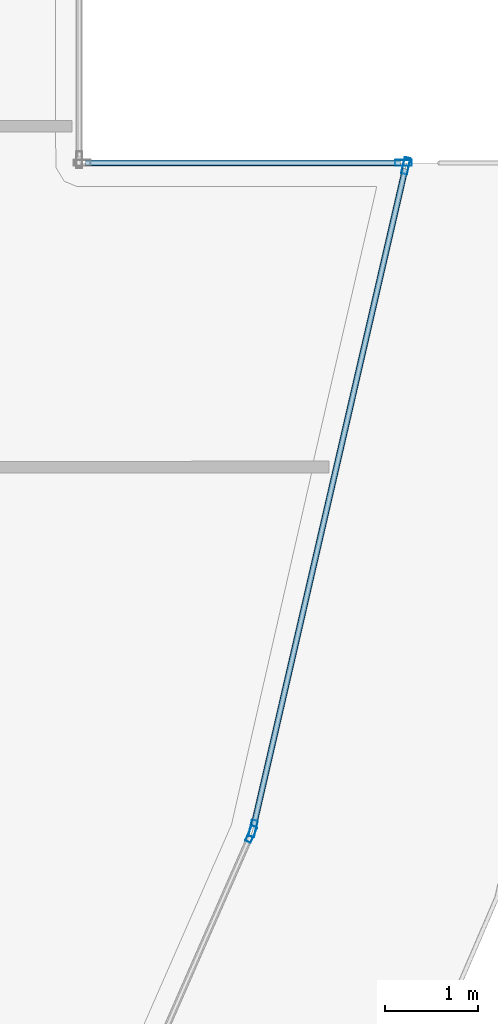
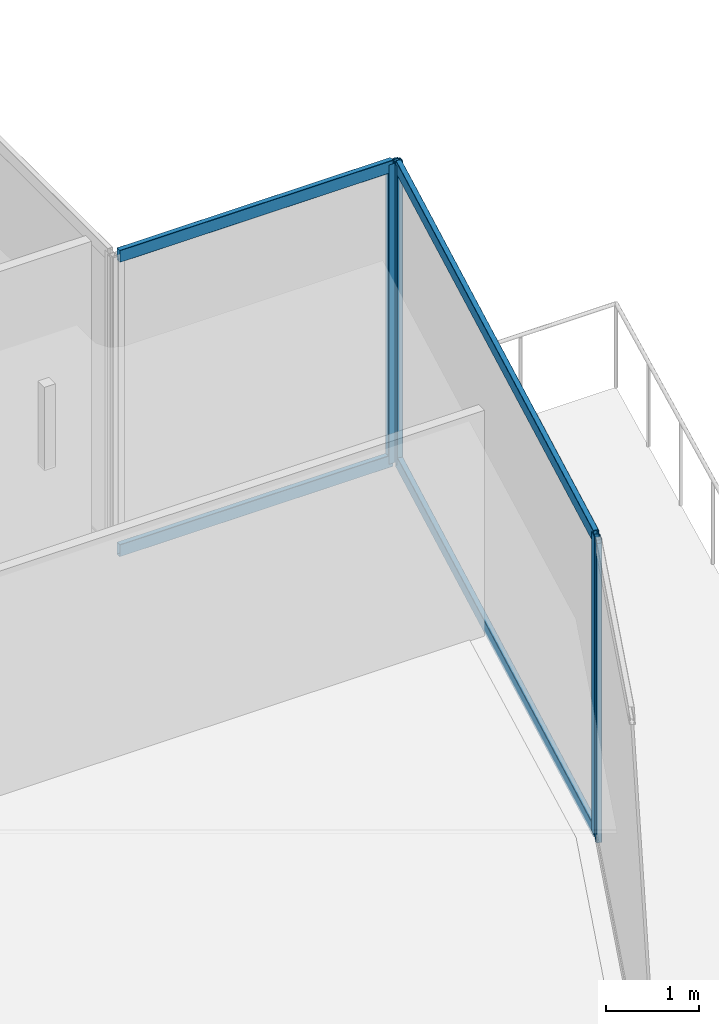
# One storey, part 30 of 52: 8 members, 3 elements without a shape of their own.
"""IFC4 building model written with IfcOpenShell, lengths in metres."""

from ifc_helpers import new_model, si_unit, direction, frame, origin, origin_2d, place, context, subcontext, project, spatial, hollow_rectangle, extrude, material, layer, layer_set, material_profile, profile_set, type_object, element, aggregate, save


model = new_model("IFC4")

# Units and contexts
model_context = context("Model", 3, precision=1e-05, world=origin(), true_north=direction((0.0, 1.0)))
body_context = subcontext(model_context, "Body", "Model", "MODEL_VIEW")
ifc_project = project(units=[si_unit("LENGTHUNIT", "METRE"), si_unit("AREAUNIT", "SQUARE_METRE"), si_unit("VOLUMEUNIT", "CUBIC_METRE"), si_unit("PLANEANGLEUNIT", "RADIAN"), si_unit("MASSUNIT", "GRAM", prefix="KILO")], contexts=[model_context])

# Site, building, storey
site_placement = place(None, origin())
site = spatial("IfcSite", under=ifc_project, at=site_placement, CompositionType="ELEMENT")
building_placement = place(site_placement, origin())
building = spatial("IfcBuilding", under=site, at=building_placement, Name="Qorvath Tower", CompositionType="ELEMENT")
storey_placement = place(building_placement, frame((0.0, 0.0, 61.800048828125)))
storey = spatial("IfcBuildingStorey", under=building, at=storey_placement, Name="L13", CompositionType="ELEMENT", Elevation=61.800048828125)

# Curtain wall, member
ifc_material_1 = material(Name="Anodised aluminium and triple low-E glass", Category="aluminium")
ifc_layer = layer(ifc_material_1, 0.179931640625)
ifc_layer_set = layer_set([ifc_layer], Name="CW-SYS-2")
curtain_wall_type = type_object("IfcCurtainWallType", Name="CW-SYS-2", PredefinedType="NOTDEFINED", material=ifc_layer_set)
curtain_wall_1_placement = place(storey_placement, origin())
curtain_wall_1 = element("IfcCurtainWall", 1, at=curtain_wall_1_placement, inside=storey, type_object=curtain_wall_type, Name="Curtain Wall CW-2 CW-T-L13-6.1", PredefinedType="NOTDEFINED")
ifc_material_2 = material(Name="Anodised aluminium 6063-T6", Category="aluminium")
ifc_material_profile_1 = material_profile(ifc_material_2, hollow_rectangle(XDim=0.06494140625, YDim=0.179931640625, WallThickness=0.00341796875, InnerFilletRadius=0.00341796875, OuterFilletRadius=0.007080078125, at=origin_2d()), Name="CWM 180x65")
ifc_profile_set_1 = profile_set([ifc_material_profile_1], Name="Anodised aluminium 6063-T6")
member_type_1 = type_object("IfcMemberType", Name="CWM-180", PredefinedType="MULLION", material=ifc_profile_set_1)
member_1_placement = place(storey_placement, frame((5.06494140625, -12.476318359375, 0.0), z_axis=(0.0, 0.0, 1.0), x_axis=(-0.915962762712, 0.40126327682, 0.0)))
member_1 = element("IfcMember", 2, at=member_1_placement, type_object=member_type_1, Name="CW-2 mullion 2", PredefinedType="MULLION", context=body_context, shape_type="SweptSolid", body=[
    extrude(hollow_rectangle(XDim=0.06494140625, YDim=0.179931640625, WallThickness=0.00341796875, InnerFilletRadius=0.00341796875, OuterFilletRadius=0.007080078125, at=origin_2d()), origin(), (0.0, 0.0, 1.0), 3.919921875),
])
aggregate(curtain_wall_1, [member_1])

# Curtain wall, members
curtain_wall_2_placement = place(storey_placement, origin())
curtain_wall_2 = element("IfcCurtainWall", 3, at=curtain_wall_2_placement, inside=storey, type_object=curtain_wall_type, Name="Curtain Wall CW-2 CW-T-L13-7.1", PredefinedType="NOTDEFINED")
member_2_placement = place(storey_placement, frame((5.08544921875, -12.414794921875, 0.0), z_axis=(0.0, 0.0, 1.0), x_axis=(-0.974426885424, 0.224704795149, 0.0)))
member_2 = element("IfcMember", 4, at=member_2_placement, type_object=member_type_1, Name="CW-2 mullion 1", PredefinedType="MULLION", context=body_context, shape_type="SweptSolid", body=[
    extrude(hollow_rectangle(XDim=0.06494140625, YDim=0.179931640625, WallThickness=0.00341796875, InnerFilletRadius=0.00341796875, OuterFilletRadius=0.007080078125, at=origin_2d()), origin(), (0.0, 0.0, 1.0), 3.919921875),
])
member_3_placement = place(storey_placement, frame((6.7255859375, -5.30224609375, 0.0), z_axis=(0.0, 0.0, 1.0), x_axis=(-0.974426885424, 0.224704795149, 0.0)))
member_3 = element("IfcMember", 5, at=member_3_placement, type_object=member_type_1, Name="CW-2 mullion 2", PredefinedType="MULLION", context=body_context, shape_type="SweptSolid", body=[
    extrude(hollow_rectangle(XDim=0.06494140625, YDim=0.179931640625, WallThickness=0.00341796875, InnerFilletRadius=0.00341796875, OuterFilletRadius=0.007080078125, at=origin_2d()), origin(), (0.0, 0.0, 1.0), 3.919921875),
])

# Curtain wall, member
curtain_wall_3_placement = place(storey_placement, origin())
curtain_wall_3 = element("IfcCurtainWall", 6, at=curtain_wall_3_placement, inside=storey, type_object=curtain_wall_type, Name="Curtain Wall CW-2 CW-T-L13-8.1", PredefinedType="NOTDEFINED")
member_4_placement = place(storey_placement, frame((6.700439453125, -5.2705078125, 0.0), z_axis=(0.0, 0.0, 1.0), x_axis=(0.0, -1.0, 0.0)))
member_4 = element("IfcMember", 7, at=member_4_placement, type_object=member_type_1, Name="CW-2 mullion 1", PredefinedType="MULLION", context=body_context, shape_type="SweptSolid", body=[
    extrude(hollow_rectangle(XDim=0.06494140625, YDim=0.179931640625, WallThickness=0.00341796875, InnerFilletRadius=0.00341796875, OuterFilletRadius=0.007080078125, at=origin_2d()), origin(), (0.0, 0.0, 1.0), 3.919921875),
])

# Member
ifc_material_3 = material(Name="Anodised aluminium 6063-T6", Category="aluminium")
ifc_material_profile_2 = material_profile(ifc_material_3, hollow_rectangle(XDim=0.06494140625, YDim=0.159912109375, WallThickness=0.00341796875, InnerFilletRadius=0.00341796875, OuterFilletRadius=0.007080078125, at=origin_2d()), Name="CWT 160x65")
ifc_profile_set_2 = profile_set([ifc_material_profile_2], Name="Anodised aluminium 6063-T6")
member_type_2 = type_object("IfcMemberType", Name="CWT-160", PredefinedType="USERDEFINED", material=ifc_profile_set_2)
member_5_placement = place(storey_placement, frame((5.0927734375, -12.383056640625, 0.032470703125), z_axis=(0.224691902647, 0.974429858371, 0.0), x_axis=(-0.974429858371, 0.224691902647, 0.0)))
member_5 = element("IfcMember", 8, at=member_5_placement, type_object=member_type_2, Name="CW-2 transom 1.1", ObjectType="TRANSOM", PredefinedType="USERDEFINED", context=body_context, shape_type="SweptSolid", body=[
    extrude(hollow_rectangle(XDim=0.06494140625, YDim=0.159912109375, WallThickness=0.00341796875, InnerFilletRadius=0.00341796875, OuterFilletRadius=0.007080078125, at=origin_2d()), origin(), (0.0, 0.0, 1.0), 7.234375),
])

member_6_placement = place(storey_placement, frame((5.0927734375, -12.383056640625, 3.887451171875), z_axis=(0.224691902647, 0.974429858371, 0.0), x_axis=(-0.974429858371, 0.224691902647, 0.0)))
member_6 = element("IfcMember", 9, at=member_6_placement, type_object=member_type_2, Name="CW-2 transom 1.2", ObjectType="TRANSOM", PredefinedType="USERDEFINED", context=body_context, shape_type="SweptSolid", body=[
    extrude(hollow_rectangle(XDim=0.06494140625, YDim=0.159912109375, WallThickness=0.00341796875, InnerFilletRadius=0.00341796875, OuterFilletRadius=0.007080078125, at=origin_2d()), origin(), (0.0, 0.0, 1.0), 7.234375),
])

aggregate(curtain_wall_2, [member_2, member_3, member_5, member_6])

member_7_placement = place(storey_placement, frame((6.66796875, -5.2705078125, 0.032470703125), z_axis=(-1.0, 0.0, 0.0), x_axis=(0.0, -1.0, 0.0)))
member_7 = element("IfcMember", 10, at=member_7_placement, type_object=member_type_2, Name="CW-2 transom 1.1", ObjectType="TRANSOM", PredefinedType="USERDEFINED", context=body_context, shape_type="SweptSolid", body=[
    extrude(hollow_rectangle(XDim=0.06494140625, YDim=0.159912109375, WallThickness=0.00341796875, InnerFilletRadius=0.00341796875, OuterFilletRadius=0.007080078125, at=origin_2d()), origin(), (0.0, 0.0, 1.0), 3.383544921875),
])

member_8_placement = place(storey_placement, frame((6.66796875, -5.2705078125, 3.887451171875), z_axis=(-1.0, 0.0, 0.0), x_axis=(0.0, -1.0, 0.0)))
member_8 = element("IfcMember", 11, at=member_8_placement, type_object=member_type_2, Name="CW-2 transom 1.2", ObjectType="TRANSOM", PredefinedType="USERDEFINED", context=body_context, shape_type="SweptSolid", body=[
    extrude(hollow_rectangle(XDim=0.06494140625, YDim=0.159912109375, WallThickness=0.00341796875, InnerFilletRadius=0.00341796875, OuterFilletRadius=0.007080078125, at=origin_2d()), origin(), (0.0, 0.0, 1.0), 3.383544921875),
])

aggregate(curtain_wall_3, [member_4, member_7, member_8])

save(model, "model.ifc")
